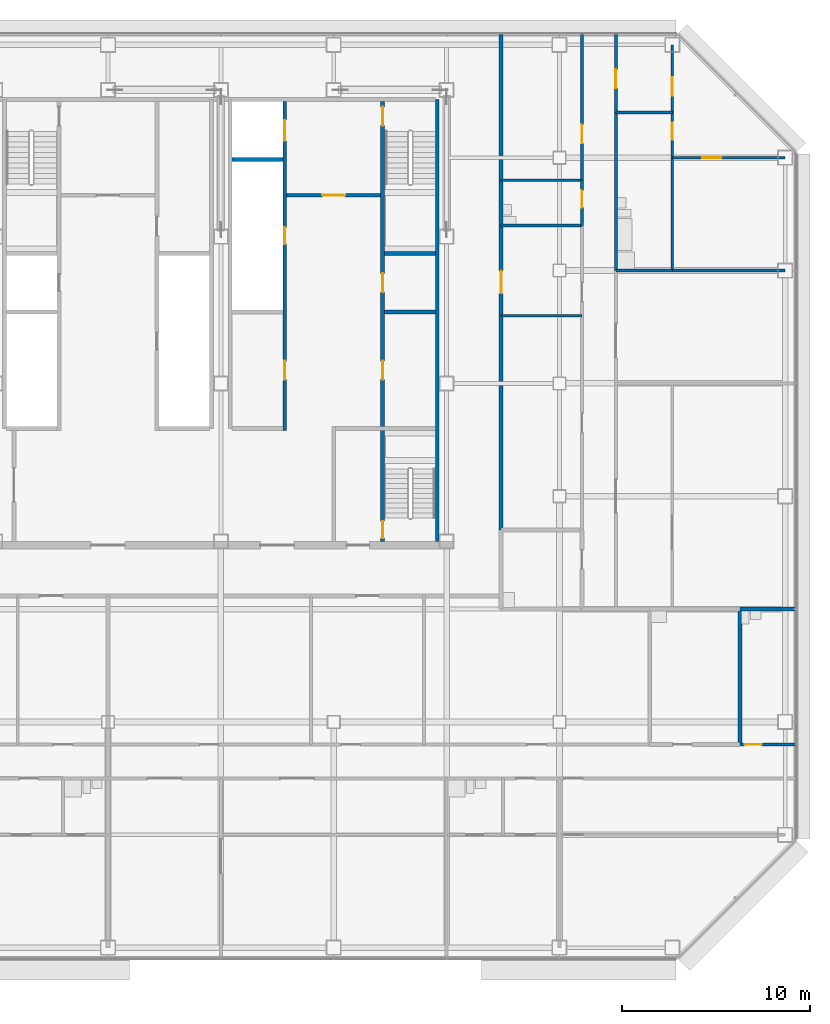
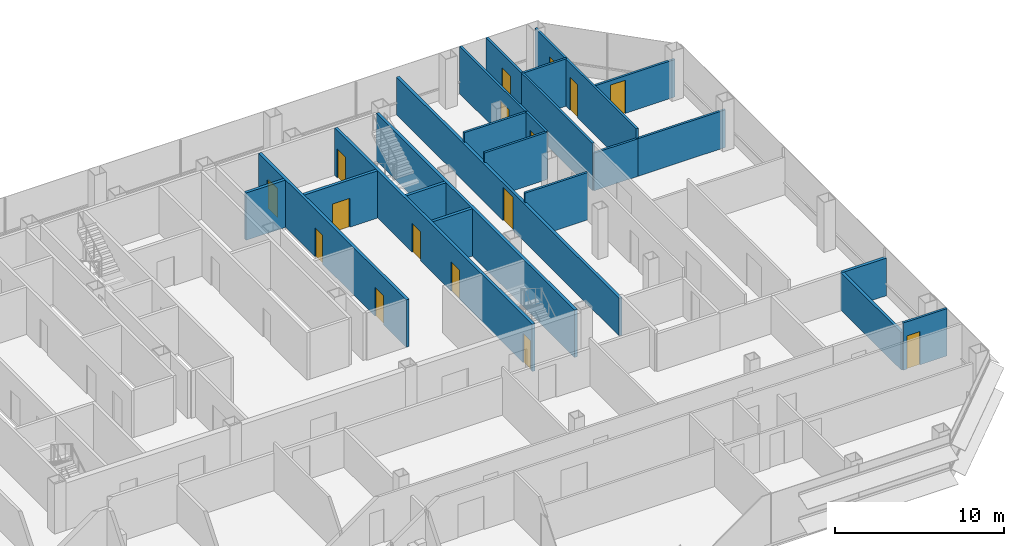
# One storey, part 22 of 25: 24 walls, 16 doors, 16 openings.
"""IFC4 building model written with IfcOpenShell, lengths in metres."""

from ifc_helpers import new_model, si_unit, direction, frame, frame_2d, origin, place, context, subcontext, project, spatial, rectangle, extrude, material, layer, layer_set, type_object, element, fill, save


model = new_model("IFC4")

# Units and contexts
model_context = context("Model", 3, precision=1e-05, world=origin(), true_north=direction((0.0, 1.0)))
body_context = subcontext(model_context, "Body", "Model", "MODEL_VIEW")
ifc_project = project(units=[si_unit("LENGTHUNIT", "METRE"), si_unit("AREAUNIT", "SQUARE_METRE"), si_unit("VOLUMEUNIT", "CUBIC_METRE"), si_unit("PLANEANGLEUNIT", "RADIAN"), si_unit("MASSUNIT", "GRAM", prefix="KILO")], contexts=[model_context])

# Site, building, storey
site_placement = place(None, origin())
site = spatial("IfcSite", under=ifc_project, at=site_placement, CompositionType="ELEMENT")
building_placement = place(site_placement, origin())
building = spatial("IfcBuilding", under=site, at=building_placement, Name="Sorahane Residences", CompositionType="ELEMENT")
storey_placement = place(building_placement, frame((0.0, 0.0, 99.800048828125)))
storey = spatial("IfcBuildingStorey", under=building, at=storey_placement, Name="L21", CompositionType="ELEMENT", Elevation=99.800048828125)

# Wall
ifc_material_1 = material(Name="Concrete C30", Category="concrete")
ifc_layer_1 = layer(ifc_material_1, 0.199951171875)
ifc_layer_set_1 = layer_set([ifc_layer_1], Name="Core face wall 200 EI 180")
wall_type_1 = type_object("IfcWallType", Name="Core face wall 200 EI 180", PredefinedType="SOLIDWALL", material=ifc_layer_set_1)
wall_1_placement = place(storey_placement, frame((41.5, 21.60009765625, 0.0), z_axis=(0.0, 0.0, 1.0), x_axis=(0.0, 1.0, 0.0)))
element("IfcWall", 1, at=wall_1_placement, inside=storey, type_object=wall_type_1, Name="L21 core face wall", PredefinedType="SOLIDWALL", context=body_context, shape_type="SweptSolid", body=[
    extrude(rectangle(XDim=23.5, YDim=0.199951171875, at=frame_2d((11.75, 0.0))), origin(), (0.0, 0.0, 1.0), 3.419921875),
])

# Wall, opening, door
ifc_material_2 = material(Name="Concrete blockwork C20 wall", Category="masonry")
ifc_layer_2 = layer(ifc_material_2, 0.199951171875)
ifc_layer_set_2 = layer_set([ifc_layer_2], Name="Corridor wall 200 EI 120")
wall_type_2 = type_object("IfcWallType", Name="Corridor wall 200 EI 120", PredefinedType="SOLIDWALL", material=ifc_layer_set_2)
wall_2_placement = place(storey_placement, frame((44.89990234375, 22.199951171875, 0.0), z_axis=(0.0, 0.0, 1.0), x_axis=(0.0, 1.0, 0.0)))
wall_2 = element("IfcWall", 2, at=wall_2_placement, inside=storey, type_object=wall_type_2, Name="L21 corridor wall", PredefinedType="SOLIDWALL", context=body_context, shape_type="SweptSolid", body=[
    extrude(rectangle(XDim=26.400146484375, YDim=0.199951171875, at=frame_2d((13.2001953125, 0.0))), origin(), (0.0, 0.0, 1.0), 2.719970703125),
])
opening_1_placement = place(wall_2_placement, frame((12.580078125, 0.0, 0.0)))
opening_1 = element("IfcOpeningElement", 3, at=opening_1_placement, cuts=wall_2, Name="Opening L21-40", PredefinedType="OPENING", context=body_context, shape_type="SweptSolid", body=[
    extrude(rectangle(XDim=1.199951171875, YDim=2.39990234375, at=frame_2d((0.60009765625, 1.199951171875))), frame((0.0, 0.10986328125, 0.0), z_axis=(0.0, -1.0, 0.0), x_axis=(1.0, 0.0, 0.0)), (0.0, 0.0, 1.0), 0.219970703125),
])
ifc_material_3 = material(Name="Timber veneered fire door", Category="wood")
door_type_1 = type_object("IfcDoorType", Name="Flat entrance door 1200x2400 FD60", OperationType="NOTDEFINED", PredefinedType="DOOR", material=ifc_material_3)
door_1_placement = place(opening_1_placement, frame((1.199951171875, 0.0, 0.0), z_axis=(0.0, 0.0, 1.0), x_axis=(-1.0, 0.0, 0.0)))
door_1 = element("IfcDoor", 4, at=door_1_placement, inside=storey, type_object=door_type_1, Name="Flat entrance door L21-40", OperationType="SINGLE_SWING_LEFT", OverallHeight=2.39990234375, OverallWidth=1.199951171875, PredefinedType="DOOR", context=body_context, shape_type="SweptSolid", body=[
    extrude(rectangle(XDim=1.199951171875, YDim=2.39990234375, at=frame_2d((0.60009765625, 1.199951171875))), frame((0.0, 0.02490234375, 0.0), z_axis=(0.0, -1.0, 0.0), x_axis=(1.0, 0.0, 0.0)), (0.0, 0.0, 1.0), 0.050048828125),
])
fill(opening_1, door_1)

ifc_material_4 = material(Name="Concrete C30", Category="concrete")
ifc_layer_3 = layer(ifc_material_4, 0.199951171875)
ifc_layer_set_3 = layer_set([ifc_layer_3], Name="Front room wall 200 EI 120")
wall_type_3 = type_object("IfcWallType", Name="Front room wall 200 EI 120", PredefinedType="PARTITIONING", material=ifc_layer_set_3)
wall_3_placement = place(storey_placement, frame((33.5, 40.0, 0.0), z_axis=(0.0, 0.0, 1.0), x_axis=(1.0, 0.0, 0.0)))
wall_3 = element("IfcWall", 5, at=wall_3_placement, inside=storey, type_object=wall_type_3, Name="L21 front room wall", PredefinedType="PARTITIONING", context=body_context, shape_type="SweptSolid", body=[
    extrude(rectangle(XDim=5.0, YDim=0.199951171875, at=frame_2d((2.5, 0.0))), origin(), (0.0, 0.0, 1.0), 3.419921875),
])
opening_2_placement = place(wall_3_placement, frame((1.89990234375, 0.0, 0.0)))
opening_2 = element("IfcOpeningElement", 6, at=opening_2_placement, cuts=wall_3, Name="Opening L21-C09", PredefinedType="OPENING", context=body_context, shape_type="SweptSolid", body=[
    extrude(rectangle(XDim=1.199951171875, YDim=2.10009765625, at=frame_2d((0.60009765625, 1.050048828125))), frame((0.0, 0.10986328125, 0.0), z_axis=(0.0, -1.0, 0.0), x_axis=(1.0, 0.0, 0.0)), (0.0, 0.0, 1.0), 0.219970703125),
])
ifc_material_5 = material(Name="Steel", Category="steel")
door_type_2 = type_object("IfcDoorType", Name="Front room door 1200x2100 FD120", OperationType="NOTDEFINED", PredefinedType="DOOR", material=ifc_material_5)
door_2_placement = place(opening_2_placement, frame((1.199951171875, 0.0, 0.0), z_axis=(0.0, 0.0, 1.0), x_axis=(-1.0, 0.0, 0.0)))
door_2 = element("IfcDoor", 7, at=door_2_placement, inside=storey, type_object=door_type_2, Name="Front room door Firefighting lobby FF2 front room L21", OperationType="DOUBLE_DOOR_SINGLE_SWING", OverallHeight=2.10009765625, OverallWidth=1.199951171875, PredefinedType="DOOR", context=body_context, shape_type="SweptSolid", body=[
    extrude(rectangle(XDim=1.199951171875, YDim=2.10009765625, at=frame_2d((0.60009765625, 1.050048828125))), frame((0.0, 0.02490234375, 0.0), z_axis=(0.0, -1.0, 0.0), x_axis=(1.0, 0.0, 0.0)), (0.0, 0.0, 1.0), 0.050048828125),
])
fill(opening_2, door_2)

# Wall
ifc_material_6 = material(Name="Concrete blockwork C20 wall", Category="masonry")
ifc_layer_4 = layer(ifc_material_6, 0.199951171875)
ifc_layer_set_4 = layer_set([ifc_layer_4], Name="Kitchen wall 200 EI 180")
wall_type_4 = type_object("IfcWallType", Name="Kitchen wall 200 EI 180", PredefinedType="SOLIDWALL", material=ifc_layer_set_4)
wall_4_placement = place(storey_placement, frame((57.60009765625, 10.800048828125, 0.0), z_axis=(0.0, 0.0, 1.0), x_axis=(0.0, 1.0, 0.0)))
element("IfcWall", 8, at=wall_4_placement, inside=storey, type_object=wall_type_4, Name="L21 kitchen wall", PredefinedType="SOLIDWALL", context=body_context, shape_type="SweptSolid", body=[
    extrude(rectangle(XDim=7.199951171875, YDim=0.199951171875, at=frame_2d((3.60009765625, 0.0))), origin(), (0.0, 0.0, 1.0), 2.719970703125),
])

# Wall, openings, doors
ifc_material_7 = material(Name="Concrete C30", Category="concrete")
ifc_layer_5 = layer(ifc_material_7, 0.199951171875)
ifc_layer_set_5 = layer_set([ifc_layer_5], Name="Lift shaft wall 200 EI 120")
wall_type_5 = type_object("IfcWallType", Name="Lift shaft wall 200 EI 120", PredefinedType="SOLIDWALL", material=ifc_layer_set_5)
wall_5_placement = place(storey_placement, frame((33.39990234375, 27.5, 0.0), z_axis=(0.0, 0.0, 1.0), x_axis=(0.0, 1.0, 0.0)))
wall_5 = element("IfcWall", 9, at=wall_5_placement, inside=storey, type_object=wall_type_5, Name="L21 lift shaft wall", PredefinedType="SOLIDWALL", context=body_context, shape_type="SweptSolid", body=[
    extrude(rectangle(XDim=17.5, YDim=0.199951171875, at=frame_2d((8.75, 0.0))), origin(), (0.0, 0.0, 1.0), 3.419921875),
])
opening_3_placement = place(wall_5_placement, frame((15.39990234375, 0.0, 0.0)))
opening_3 = element("IfcOpeningElement", 10, at=opening_3_placement, cuts=wall_5, Name="Opening L21-C10", PredefinedType="OPENING", context=body_context, shape_type="SweptSolid", body=[
    extrude(rectangle(XDim=1.10009765625, YDim=2.10009765625, at=frame_2d((0.550048828125, 1.050048828125))), frame((0.0, 0.10986328125, 0.0), z_axis=(0.0, -1.0, 0.0), x_axis=(1.0, 0.0, 0.0)), (0.0, 0.0, 1.0), 0.219970703125),
])
opening_4_placement = place(wall_5_placement, frame((2.699951171875, 0.0, 0.0)))
opening_4 = element("IfcOpeningElement", 11, at=opening_4_placement, cuts=wall_5, Name="Opening L21-C19", PredefinedType="OPENING", context=body_context, shape_type="SweptSolid", body=[
    extrude(rectangle(XDim=1.0, YDim=2.10009765625, at=frame_2d((0.5, 1.050048828125))), frame((0.0, 0.10986328125, 0.0), z_axis=(0.0, -1.0, 0.0), x_axis=(1.0, 0.0, 0.0)), (0.0, 0.0, 1.0), 0.219970703125),
])
opening_5_placement = place(wall_5_placement, frame((9.89990234375, 0.0, 0.0)))
opening_5 = element("IfcOpeningElement", 12, at=opening_5_placement, cuts=wall_5, Name="Opening L21-C26", PredefinedType="OPENING", context=body_context, shape_type="SweptSolid", body=[
    extrude(rectangle(XDim=0.89990234375, YDim=2.10009765625, at=frame_2d((0.449951171875, 1.050048828125))), frame((0.0, 0.10986328125, 0.0), z_axis=(0.0, -1.0, 0.0), x_axis=(1.0, 0.0, 0.0)), (0.0, 0.0, 1.0), 0.219970703125),
])
ifc_material_8 = material(Name="Aluminium and stainless steel", Category="steel")
door_type_3 = type_object("IfcDoorType", Name="Lift landing door 1100x2100 E 60", OperationType="NOTDEFINED", PredefinedType="DOOR", material=ifc_material_8)
door_3_placement = place(opening_3_placement, origin())
door_3 = element("IfcDoor", 13, at=door_3_placement, inside=storey, type_object=door_type_3, Name="Lift landing door FF2 L21", OperationType="DOUBLE_DOOR_SLIDING", OverallHeight=2.10009765625, OverallWidth=1.10009765625, PredefinedType="DOOR", context=body_context, shape_type="SweptSolid", body=[
    extrude(rectangle(XDim=1.10009765625, YDim=2.10009765625, at=frame_2d((0.550048828125, 1.050048828125))), frame((0.0, 0.02490234375, 0.0), z_axis=(0.0, -1.0, 0.0), x_axis=(1.0, 0.0, 0.0)), (0.0, 0.0, 1.0), 0.050048828125),
])
fill(opening_3, door_3)
ifc_material_9 = material(Name="Steel", Category="steel")
door_type_4 = type_object("IfcDoorType", Name="Riser door 900x2100 FD120", OperationType="NOTDEFINED", PredefinedType="DOOR", material=ifc_material_9)
door_4_placement = place(opening_5_placement, frame((0.89990234375, 0.0, 0.0), z_axis=(0.0, 0.0, 1.0), x_axis=(-1.0, 0.0, 0.0)))
door_4 = element("IfcDoor", 14, at=door_4_placement, inside=storey, type_object=door_type_4, Name="Riser door R2 L21", OperationType="SINGLE_SWING_LEFT", OverallHeight=2.10009765625, OverallWidth=0.89990234375, PredefinedType="DOOR", context=body_context, shape_type="SweptSolid", body=[
    extrude(rectangle(XDim=0.89990234375, YDim=2.10009765625, at=frame_2d((0.449951171875, 1.050048828125))), frame((0.0, 0.02490234375, 0.0), z_axis=(0.0, -1.0, 0.0), x_axis=(1.0, 0.0, 0.0)), (0.0, 0.0, 1.0), 0.050048828125),
])
fill(opening_5, door_4)
ifc_material_10 = material(Name="Steel", Category="steel")
door_type_5 = type_object("IfcDoorType", Name="Service room door 1000x2100 FD60", OperationType="NOTDEFINED", PredefinedType="DOOR", material=ifc_material_10)
door_5_placement = place(opening_4_placement, origin())
door_5 = element("IfcDoor", 15, at=door_5_placement, inside=storey, type_object=door_type_5, Name="Service room door Lounge L21", OperationType="SINGLE_SWING_RIGHT", OverallHeight=2.10009765625, OverallWidth=1.0, PredefinedType="DOOR", context=body_context, shape_type="SweptSolid", body=[
    extrude(rectangle(XDim=1.0, YDim=2.10009765625, at=frame_2d((0.5, 1.050048828125))), frame((0.0, 0.02490234375, 0.0), z_axis=(0.0, -1.0, 0.0), x_axis=(1.0, 0.0, 0.0)), (0.0, 0.0, 1.0), 0.050048828125),
])
fill(opening_4, door_5)

# Wall
wall_6_placement = place(storey_placement, frame((30.60009765625, 41.89990234375, 0.0), z_axis=(0.0, 0.0, 1.0), x_axis=(1.0, 0.0, 0.0)))
element("IfcWall", 16, at=wall_6_placement, inside=storey, type_object=wall_type_5, Name="L21 lift shaft wall", PredefinedType="SOLIDWALL", context=body_context, shape_type="SweptSolid", body=[
    extrude(rectangle(XDim=2.699951171875, YDim=0.199951171875, at=frame_2d((1.35009765625, 0.0))), origin(), (0.0, 0.0, 1.0), 3.419921875),
])

# Wall, opening, door
ifc_material_11 = material(Name="Gypsum board partition on steel studs", Category="steel")
ifc_layer_6 = layer(ifc_material_11, 0.14990234375)
ifc_layer_set_6 = layer_set([ifc_layer_6], Name="Partition 150 EI 90")
wall_type_6 = type_object("IfcWallType", Name="Partition 150 EI 90", PredefinedType="PARTITIONING", material=ifc_layer_set_6)
wall_7_placement = place(storey_placement, frame((49.199951171875, 40.800048828125, 0.0), z_axis=(0.0, 0.0, 1.0), x_axis=(0.0, 1.0, 0.0)))
wall_7 = element("IfcWall", 17, at=wall_7_placement, inside=storey, type_object=wall_type_6, Name="L21 partition", PredefinedType="PARTITIONING", context=body_context, shape_type="SweptSolid", body=[
    extrude(rectangle(XDim=7.800048828125, YDim=0.14990234375, at=frame_2d((3.89990234375, 0.0))), origin(), (0.0, 0.0, 1.0), 3.419921875),
])
opening_6_placement = place(wall_7_placement, frame((1.9599609375, 0.0, 0.0)))
opening_6 = element("IfcOpeningElement", 18, at=opening_6_placement, cuts=wall_7, Name="Opening L21-30", PredefinedType="OPENING", context=body_context, shape_type="SweptSolid", body=[
    extrude(rectangle(XDim=1.0, YDim=2.39990234375, at=frame_2d((0.5, 1.199951171875))), frame((0.0, 0.0849609375, 0.0), z_axis=(0.0, -1.0, 0.0), x_axis=(1.0, 0.0, 0.0)), (0.0, 0.0, 1.0), 0.169921875),
])
ifc_material_12 = material(Name="Timber veneered fire door", Category="wood")
door_type_6 = type_object("IfcDoorType", Name="Room door 1000x2400 FD30", OperationType="NOTDEFINED", PredefinedType="DOOR", material=ifc_material_12)
door_6_placement = place(opening_6_placement, origin())
door_6 = element("IfcDoor", 19, at=door_6_placement, inside=storey, type_object=door_type_6, Name="Room door L21-30", OperationType="SINGLE_SWING_RIGHT", OverallHeight=2.39990234375, OverallWidth=1.0, PredefinedType="DOOR", context=body_context, shape_type="SweptSolid", body=[
    extrude(rectangle(XDim=1.0, YDim=2.39990234375, at=frame_2d((0.5, 1.199951171875))), frame((0.0, 0.02490234375, 0.0), z_axis=(0.0, -1.0, 0.0), x_axis=(1.0, 0.0, 0.0)), (0.0, 0.0, 1.0), 0.050048828125),
])
fill(opening_6, door_6)

wall_8_placement = place(storey_placement, frame((51.0, 44.39990234375, 0.0), z_axis=(0.0, 0.0, 1.0), x_axis=(0.0, 1.0, 0.0)))
wall_8 = element("IfcWall", 20, at=wall_8_placement, inside=storey, type_object=wall_type_6, Name="L21 partition", PredefinedType="PARTITIONING", context=body_context, shape_type="SweptSolid", body=[
    extrude(rectangle(XDim=4.2001953125, YDim=0.14990234375, at=frame_2d((2.10009765625, 0.0))), origin(), (0.0, 0.0, 1.0), 3.419921875),
])
opening_7_placement = place(wall_8_placement, frame((1.300048828125, 0.0, 0.0)))
opening_7 = element("IfcOpeningElement", 21, at=opening_7_placement, cuts=wall_8, Name="Opening L21-33", PredefinedType="OPENING", context=body_context, shape_type="SweptSolid", body=[
    extrude(rectangle(XDim=1.0, YDim=2.39990234375, at=frame_2d((0.5, 1.199951171875))), frame((0.0, 0.0849609375, 0.0), z_axis=(0.0, -1.0, 0.0), x_axis=(1.0, 0.0, 0.0)), (0.0, 0.0, 1.0), 0.169921875),
])
door_7_placement = place(opening_7_placement, frame((1.0, 0.0, 0.0), z_axis=(0.0, 0.0, 1.0), x_axis=(-1.0, 0.0, 0.0)))
door_7 = element("IfcDoor", 22, at=door_7_placement, inside=storey, type_object=door_type_6, Name="Room door L21-33", OperationType="SINGLE_SWING_LEFT", OverallHeight=2.39990234375, OverallWidth=1.0, PredefinedType="DOOR", context=body_context, shape_type="SweptSolid", body=[
    extrude(rectangle(XDim=1.0, YDim=2.39990234375, at=frame_2d((0.5, 1.199951171875))), frame((0.0, 0.02490234375, 0.0), z_axis=(0.0, -1.0, 0.0), x_axis=(1.0, 0.0, 0.0)), (0.0, 0.0, 1.0), 0.050048828125),
])
fill(opening_7, door_7)

wall_9_placement = place(storey_placement, frame((54.0, 44.39990234375, 0.0), z_axis=(0.0, 0.0, 1.0), x_axis=(0.0, 1.0, 0.0)))
wall_9 = element("IfcWall", 23, at=wall_9_placement, inside=storey, type_object=wall_type_6, Name="L21 partition", PredefinedType="PARTITIONING", context=body_context, shape_type="SweptSolid", body=[
    extrude(rectangle(XDim=3.60009765625, YDim=0.14990234375, at=frame_2d((1.800048828125, 0.0))), origin(), (0.0, 0.0, 1.0), 3.419921875),
])
opening_8_placement = place(wall_9_placement, frame((0.8798828125, 0.0, 0.0)))
opening_8 = element("IfcOpeningElement", 24, at=opening_8_placement, cuts=wall_9, Name="Opening L21-35", PredefinedType="OPENING", context=body_context, shape_type="SweptSolid", body=[
    extrude(rectangle(XDim=1.0, YDim=2.39990234375, at=frame_2d((0.5, 1.199951171875))), frame((0.0, 0.0849609375, 0.0), z_axis=(0.0, -1.0, 0.0), x_axis=(1.0, 0.0, 0.0)), (0.0, 0.0, 1.0), 0.169921875),
])
door_8_placement = place(opening_8_placement, frame((1.0, 0.0, 0.0), z_axis=(0.0, 0.0, 1.0), x_axis=(-1.0, 0.0, 0.0)))
door_8 = element("IfcDoor", 25, at=door_8_placement, inside=storey, type_object=door_type_6, Name="Room door L21-35", OperationType="SINGLE_SWING_LEFT", OverallHeight=2.39990234375, OverallWidth=1.0, PredefinedType="DOOR", context=body_context, shape_type="SweptSolid", body=[
    extrude(rectangle(XDim=1.0, YDim=2.39990234375, at=frame_2d((0.5, 1.199951171875))), frame((0.0, 0.02490234375, 0.0), z_axis=(0.0, -1.0, 0.0), x_axis=(1.0, 0.0, 0.0)), (0.0, 0.0, 1.0), 0.050048828125),
])
fill(opening_8, door_8)

# Walls
wall_10_placement = place(storey_placement, frame((44.89990234375, 33.60009765625, 0.0), z_axis=(0.0, 0.0, 1.0), x_axis=(1.0, 0.0, 0.0)))
element("IfcWall", 26, at=wall_10_placement, inside=storey, type_object=wall_type_6, Name="L21 partition", PredefinedType="PARTITIONING", context=body_context, shape_type="SweptSolid", body=[
    extrude(rectangle(XDim=4.300048828125, YDim=0.14990234375, at=frame_2d((2.14990234375, 0.0))), origin(), (0.0, 0.0, 1.0), 3.419921875),
])
wall_11_placement = place(storey_placement, frame((54.0, 36.0, 0.0), z_axis=(0.0, 0.0, 1.0), x_axis=(1.0, 0.0, 0.0)))
element("IfcWall", 27, at=wall_11_placement, inside=storey, type_object=wall_type_6, Name="L21 partition", PredefinedType="PARTITIONING", context=body_context, shape_type="SweptSolid", body=[
    extrude(rectangle(XDim=6.0, YDim=0.14990234375, at=frame_2d((3.0, 0.0))), origin(), (0.0, 0.0, 1.0), 2.719970703125),
])

# Wall, opening, door
wall_12_placement = place(storey_placement, frame((54.0, 42.0, 0.0), z_axis=(0.0, 0.0, 1.0), x_axis=(1.0, 0.0, 0.0)))
wall_12 = element("IfcWall", 28, at=wall_12_placement, inside=storey, type_object=wall_type_6, Name="L21 partition", PredefinedType="PARTITIONING", context=body_context, shape_type="SweptSolid", body=[
    extrude(rectangle(XDim=6.0, YDim=0.14990234375, at=frame_2d((3.0, 0.0))), origin(), (0.0, 0.0, 1.0), 2.719970703125),
])
opening_9_placement = place(wall_12_placement, frame((1.60009765625, 0.0, 0.0)))
opening_9 = element("IfcOpeningElement", 29, at=opening_9_placement, cuts=wall_12, Name="Opening L21-36", PredefinedType="OPENING", context=body_context, shape_type="SweptSolid", body=[
    extrude(rectangle(XDim=1.0, YDim=2.39990234375, at=frame_2d((0.5, 1.199951171875))), frame((0.0, 0.0849609375, 0.0), z_axis=(0.0, -1.0, 0.0), x_axis=(1.0, 0.0, 0.0)), (0.0, 0.0, 1.0), 0.169921875),
])
door_9_placement = place(opening_9_placement, frame((1.0, 0.0, 0.0), z_axis=(0.0, 0.0, 1.0), x_axis=(-1.0, 0.0, 0.0)))
door_9 = element("IfcDoor", 30, at=door_9_placement, inside=storey, type_object=door_type_6, Name="Room door L21-36", OperationType="SINGLE_SWING_LEFT", OverallHeight=2.39990234375, OverallWidth=1.0, PredefinedType="DOOR", context=body_context, shape_type="SweptSolid", body=[
    extrude(rectangle(XDim=1.0, YDim=2.39990234375, at=frame_2d((0.5, 1.199951171875))), frame((0.0, 0.02490234375, 0.0), z_axis=(0.0, -1.0, 0.0), x_axis=(1.0, 0.0, 0.0)), (0.0, 0.0, 1.0), 0.050048828125),
])
fill(opening_9, door_9)

# Walls
ifc_material_13 = material(Name="Concrete blockwork C20 wall", Category="masonry")
ifc_layer_7 = layer(ifc_material_13, 0.199951171875)
ifc_layer_set_7 = layer_set([ifc_layer_7], Name="Party wall 200 EI 120")
wall_type_7 = type_object("IfcWallType", Name="Party wall 200 EI 120", PredefinedType="SOLIDWALL", material=ifc_layer_set_7)
wall_13_placement = place(storey_placement, frame((57.60009765625, 18.0, 0.0), z_axis=(0.0, 0.0, 1.0), x_axis=(1.0, 0.0, 0.0)))
element("IfcWall", 31, at=wall_13_placement, inside=storey, type_object=wall_type_7, Name="L21 party wall", PredefinedType="SOLIDWALL", context=body_context, shape_type="SweptSolid", body=[
    extrude(rectangle(XDim=3.0, YDim=0.199951171875, at=frame_2d((1.5, 0.0))), origin(), (0.0, 0.0, 1.0), 2.719970703125),
])
ifc_material_14 = material(Name="Concrete C30", Category="concrete")
ifc_layer_8 = layer(ifc_material_14, 0.199951171875)
ifc_layer_set_8 = layer_set([ifc_layer_8], Name="Service room partition 200 EI 60")
wall_type_8 = type_object("IfcWallType", Name="Service room partition 200 EI 60", PredefinedType="PARTITIONING", material=ifc_layer_set_8)
wall_14_placement = place(storey_placement, frame((38.699951171875, 33.800048828125, 0.0), z_axis=(0.0, 0.0, 1.0), x_axis=(1.0, 0.0, 0.0)))
element("IfcWall", 32, at=wall_14_placement, inside=storey, type_object=wall_type_8, Name="L21 service room wall", PredefinedType="PARTITIONING", context=body_context, shape_type="SweptSolid", body=[
    extrude(rectangle(XDim=2.699951171875, YDim=0.199951171875, at=frame_2d((1.35009765625, 0.0))), origin(), (0.0, 0.0, 1.0), 3.419921875),
])

# Wall, openings, doors
ifc_material_15 = material(Name="Concrete C30", Category="concrete")
ifc_layer_9 = layer(ifc_material_15, 0.199951171875)
ifc_layer_set_9 = layer_set([ifc_layer_9], Name="Stair enclosure wall 200 EI 120")
wall_type_9 = type_object("IfcWallType", Name="Stair enclosure wall 200 EI 120", PredefinedType="SOLIDWALL", material=ifc_layer_set_9)
wall_15_placement = place(storey_placement, frame((38.60009765625, 21.60009765625, 0.0), z_axis=(0.0, 0.0, 1.0), x_axis=(0.0, 1.0, 0.0)))
wall_15 = element("IfcWall", 33, at=wall_15_placement, inside=storey, type_object=wall_type_9, Name="L21 stair enclosure wall", PredefinedType="SOLIDWALL", context=body_context, shape_type="SweptSolid", body=[
    extrude(rectangle(XDim=23.39990234375, YDim=0.199951171875, at=frame_2d((11.699951171875, 0.0))), origin(), (0.0, 0.0, 1.0), 3.419921875),
])
opening_10_placement = place(wall_15_placement, frame((8.60009765625, 0.0, 0.0)))
opening_10 = element("IfcOpeningElement", 34, at=opening_10_placement, cuts=wall_15, Name="Opening L21-C17", PredefinedType="OPENING", context=body_context, shape_type="SweptSolid", body=[
    extrude(rectangle(XDim=1.0, YDim=2.10009765625, at=frame_2d((0.5, 1.050048828125))), frame((0.0, 0.10986328125, 0.0), z_axis=(0.0, -1.0, 0.0), x_axis=(1.0, 0.0, 0.0)), (0.0, 0.0, 1.0), 0.219970703125),
])
opening_11_placement = place(wall_15_placement, frame((13.25, 0.0, 0.0)))
opening_11 = element("IfcOpeningElement", 35, at=opening_11_placement, cuts=wall_15, Name="Opening L21-C18", PredefinedType="OPENING", context=body_context, shape_type="SweptSolid", body=[
    extrude(rectangle(XDim=1.0, YDim=2.10009765625, at=frame_2d((0.5, 1.050048828125))), frame((0.0, 0.10986328125, 0.0), z_axis=(0.0, -1.0, 0.0), x_axis=(1.0, 0.0, 0.0)), (0.0, 0.0, 1.0), 0.219970703125),
])
opening_12_placement = place(wall_15_placement, frame((22.10009765625, 0.0, 0.0)))
opening_12 = element("IfcOpeningElement", 36, at=opening_12_placement, cuts=wall_15, Name="Opening L21-C21", PredefinedType="OPENING", context=body_context, shape_type="SweptSolid", body=[
    extrude(rectangle(XDim=1.0, YDim=2.10009765625, at=frame_2d((0.5, 1.050048828125))), frame((0.0, 0.10986328125, 0.0), z_axis=(0.0, -1.0, 0.0), x_axis=(1.0, 0.0, 0.0)), (0.0, 0.0, 1.0), 0.219970703125),
])
opening_13_placement = place(wall_15_placement, frame((0.175048828125, 0.0, 0.0)))
opening_13 = element("IfcOpeningElement", 37, at=opening_13_placement, cuts=wall_15, Name="Opening L21-C24", PredefinedType="OPENING", context=body_context, shape_type="SweptSolid", body=[
    extrude(rectangle(XDim=0.89990234375, YDim=2.10009765625, at=frame_2d((0.449951171875, 1.050048828125))), frame((0.0, 0.10986328125, 0.0), z_axis=(0.0, -1.0, 0.0), x_axis=(1.0, 0.0, 0.0)), (0.0, 0.0, 1.0), 0.219970703125),
])
door_10_placement = place(opening_10_placement, frame((1.0, 0.0, 0.0), z_axis=(0.0, 0.0, 1.0), x_axis=(-1.0, 0.0, 0.0)))
door_10 = element("IfcDoor", 38, at=door_10_placement, inside=storey, type_object=door_type_5, Name="Service room door Lounge L21", OperationType="SINGLE_SWING_RIGHT", OverallHeight=2.10009765625, OverallWidth=1.0, PredefinedType="DOOR", context=body_context, shape_type="SweptSolid", body=[
    extrude(rectangle(XDim=1.0, YDim=2.10009765625, at=frame_2d((0.5, 1.050048828125))), frame((0.0, 0.02490234375, 0.0), z_axis=(0.0, -1.0, 0.0), x_axis=(1.0, 0.0, 0.0)), (0.0, 0.0, 1.0), 0.050048828125),
])
fill(opening_10, door_10)
door_11_placement = place(opening_11_placement, frame((1.0, 0.0, 0.0), z_axis=(0.0, 0.0, 1.0), x_axis=(-1.0, 0.0, 0.0)))
door_11 = element("IfcDoor", 39, at=door_11_placement, inside=storey, type_object=door_type_5, Name="Service room door Lounge L21", OperationType="SINGLE_SWING_LEFT", OverallHeight=2.10009765625, OverallWidth=1.0, PredefinedType="DOOR", context=body_context, shape_type="SweptSolid", body=[
    extrude(rectangle(XDim=1.0, YDim=2.10009765625, at=frame_2d((0.5, 1.050048828125))), frame((0.0, 0.02490234375, 0.0), z_axis=(0.0, -1.0, 0.0), x_axis=(1.0, 0.0, 0.0)), (0.0, 0.0, 1.0), 0.050048828125),
])
fill(opening_11, door_11)
ifc_material_16 = material(Name="Steel", Category="steel")
door_type_7 = type_object("IfcDoorType", Name="Stair door 1000x2100 FD120", OperationType="NOTDEFINED", PredefinedType="DOOR", material=ifc_material_16)
door_12_placement = place(opening_12_placement, frame((1.0, 0.0, 0.0), z_axis=(0.0, 0.0, 1.0), x_axis=(-1.0, 0.0, 0.0)))
door_12 = element("IfcDoor", 40, at=door_12_placement, inside=storey, type_object=door_type_7, Name="Stair door S2 L21", OperationType="SINGLE_SWING_LEFT", OverallHeight=2.10009765625, OverallWidth=1.0, PredefinedType="DOOR", context=body_context, shape_type="SweptSolid", body=[
    extrude(rectangle(XDim=1.0, YDim=2.10009765625, at=frame_2d((0.5, 1.050048828125))), frame((0.0, 0.02490234375, 0.0), z_axis=(0.0, -1.0, 0.0), x_axis=(1.0, 0.0, 0.0)), (0.0, 0.0, 1.0), 0.050048828125),
])
fill(opening_12, door_12)
ifc_material_17 = material(Name="Steel", Category="steel")
door_type_8 = type_object("IfcDoorType", Name="Stair door 900x2100 FD120", OperationType="NOTDEFINED", PredefinedType="DOOR", material=ifc_material_17)
door_13_placement = place(opening_13_placement, frame((0.89990234375, 0.0, 0.0), z_axis=(0.0, 0.0, 1.0), x_axis=(-1.0, 0.0, 0.0)))
door_13 = element("IfcDoor", 41, at=door_13_placement, inside=storey, type_object=door_type_8, Name="Stair door S5 L21", OperationType="SINGLE_SWING_LEFT", OverallHeight=2.10009765625, OverallWidth=0.89990234375, PredefinedType="DOOR", context=body_context, shape_type="SweptSolid", body=[
    extrude(rectangle(XDim=0.89990234375, YDim=2.10009765625, at=frame_2d((0.449951171875, 1.050048828125))), frame((0.0, 0.02490234375, 0.0), z_axis=(0.0, -1.0, 0.0), x_axis=(1.0, 0.0, 0.0)), (0.0, 0.0, 1.0), 0.050048828125),
])
fill(opening_13, door_13)

# Wall
wall_16_placement = place(storey_placement, frame((38.699951171875, 36.89990234375, 0.0), z_axis=(0.0, 0.0, 1.0), x_axis=(1.0, 0.0, 0.0)))
element("IfcWall", 42, at=wall_16_placement, inside=storey, type_object=wall_type_9, Name="L21 stair enclosure wall", PredefinedType="SOLIDWALL", context=body_context, shape_type="SweptSolid", body=[
    extrude(rectangle(XDim=2.699951171875, YDim=0.199951171875, at=frame_2d((1.35009765625, 0.0))), origin(), (0.0, 0.0, 1.0), 3.419921875),
])

# Wall, opening, door
ifc_material_18 = material(Name="Gypsum board partition on steel studs", Category="steel")
ifc_layer_10 = layer(ifc_material_18, 0.14990234375)
ifc_layer_set_10 = layer_set([ifc_layer_10], Name="Wet wall 150 EI 90")
wall_type_10 = type_object("IfcWallType", Name="Wet wall 150 EI 90", PredefinedType="PARTITIONING", material=ifc_layer_set_10)
wall_17_placement = place(storey_placement, frame((49.199951171875, 38.39990234375, 0.0), z_axis=(0.0, 0.0, 1.0), x_axis=(0.0, 1.0, 0.0)))
wall_17 = element("IfcWall", 43, at=wall_17_placement, inside=storey, type_object=wall_type_10, Name="L21 wet wall", PredefinedType="PARTITIONING", context=body_context, shape_type="SweptSolid", body=[
    extrude(rectangle(XDim=2.400146484375, YDim=0.14990234375, at=frame_2d((1.2001953125, 0.0))), origin(), (0.0, 0.0, 1.0), 3.419921875),
])
opening_14_placement = place(wall_17_placement, frame((0.949951171875, 0.0, 0.0)))
opening_14 = element("IfcOpeningElement", 44, at=opening_14_placement, cuts=wall_17, Name="Opening L21-29", PredefinedType="OPENING", context=body_context, shape_type="SweptSolid", body=[
    extrude(rectangle(XDim=0.89990234375, YDim=2.39990234375, at=frame_2d((0.449951171875, 1.199951171875))), frame((0.0, 0.0849609375, 0.0), z_axis=(0.0, -1.0, 0.0), x_axis=(1.0, 0.0, 0.0)), (0.0, 0.0, 1.0), 0.169921875),
])
ifc_material_19 = material(Name="Timber veneered fire door", Category="wood")
door_type_9 = type_object("IfcDoorType", Name="Bathroom door 900x2400 FD30", OperationType="NOTDEFINED", PredefinedType="DOOR", material=ifc_material_19)
door_14_placement = place(opening_14_placement, frame((0.89990234375, 0.0, 0.0), z_axis=(0.0, 0.0, 1.0), x_axis=(-1.0, 0.0, 0.0)))
door_14 = element("IfcDoor", 45, at=door_14_placement, inside=storey, type_object=door_type_9, Name="Bathroom door L21-29", OperationType="SINGLE_SWING_RIGHT", OverallHeight=2.39990234375, OverallWidth=0.89990234375, PredefinedType="DOOR", context=body_context, shape_type="SweptSolid", body=[
    extrude(rectangle(XDim=0.89990234375, YDim=2.39990234375, at=frame_2d((0.449951171875, 1.199951171875))), frame((0.0, 0.02490234375, 0.0), z_axis=(0.0, -1.0, 0.0), x_axis=(1.0, 0.0, 0.0)), (0.0, 0.0, 1.0), 0.050048828125),
])
fill(opening_14, door_14)

# Wall
wall_18_placement = place(storey_placement, frame((51.0, 36.0, 0.0), z_axis=(0.0, 0.0, 1.0), x_axis=(0.0, 1.0, 0.0)))
element("IfcWall", 46, at=wall_18_placement, inside=storey, type_object=wall_type_10, Name="L21 wet wall", PredefinedType="PARTITIONING", context=body_context, shape_type="SweptSolid", body=[
    extrude(rectangle(XDim=8.39990234375, YDim=0.14990234375, at=frame_2d((4.199951171875, 0.0))), origin(), (0.0, 0.0, 1.0), 3.419921875),
])

# Wall, opening, door
wall_19_placement = place(storey_placement, frame((54.0, 36.0, 0.0), z_axis=(0.0, 0.0, 1.0), x_axis=(0.0, 1.0, 0.0)))
wall_19 = element("IfcWall", 47, at=wall_19_placement, inside=storey, type_object=wall_type_10, Name="L21 wet wall", PredefinedType="PARTITIONING", context=body_context, shape_type="SweptSolid", body=[
    extrude(rectangle(XDim=8.39990234375, YDim=0.14990234375, at=frame_2d((4.199951171875, 0.0))), origin(), (0.0, 0.0, 1.0), 3.419921875),
])
opening_15_placement = place(wall_19_placement, frame((6.949951171875, 0.0, 0.0)))
opening_15 = element("IfcOpeningElement", 48, at=opening_15_placement, cuts=wall_19, Name="Opening L21-37", PredefinedType="OPENING", context=body_context, shape_type="SweptSolid", body=[
    extrude(rectangle(XDim=0.89990234375, YDim=2.39990234375, at=frame_2d((0.449951171875, 1.199951171875))), frame((0.0, 0.0849609375, 0.0), z_axis=(0.0, -1.0, 0.0), x_axis=(1.0, 0.0, 0.0)), (0.0, 0.0, 1.0), 0.169921875),
])
door_15_placement = place(opening_15_placement, frame((0.89990234375, 0.0, 0.0), z_axis=(0.0, 0.0, 1.0), x_axis=(-1.0, 0.0, 0.0)))
door_15 = element("IfcDoor", 49, at=door_15_placement, inside=storey, type_object=door_type_9, Name="Bathroom door L21-37", OperationType="SINGLE_SWING_LEFT", OverallHeight=2.39990234375, OverallWidth=0.89990234375, PredefinedType="DOOR", context=body_context, shape_type="SweptSolid", body=[
    extrude(rectangle(XDim=0.89990234375, YDim=2.39990234375, at=frame_2d((0.449951171875, 1.199951171875))), frame((0.0, 0.02490234375, 0.0), z_axis=(0.0, -1.0, 0.0), x_axis=(1.0, 0.0, 0.0)), (0.0, 0.0, 1.0), 0.050048828125),
])
fill(opening_15, door_15)

wall_20_placement = place(storey_placement, frame((57.60009765625, 10.800048828125, 0.0), z_axis=(0.0, 0.0, 1.0), x_axis=(1.0, 0.0, 0.0)))
wall_20 = element("IfcWall", 50, at=wall_20_placement, inside=storey, type_object=wall_type_10, Name="L21 wet wall", PredefinedType="PARTITIONING", context=body_context, shape_type="SweptSolid", body=[
    extrude(rectangle(XDim=3.0, YDim=0.14990234375, at=frame_2d((1.5, 0.0))), origin(), (0.0, 0.0, 1.0), 3.419921875),
])
opening_16_placement = place(wall_20_placement, frame((0.25, 0.0, 0.0)))
opening_16 = element("IfcOpeningElement", 51, at=opening_16_placement, cuts=wall_20, Name="Opening L21-17", PredefinedType="OPENING", context=body_context, shape_type="SweptSolid", body=[
    extrude(rectangle(XDim=0.89990234375, YDim=2.39990234375, at=frame_2d((0.449951171875, 1.199951171875))), frame((0.0, 0.0849609375, 0.0), z_axis=(0.0, -1.0, 0.0), x_axis=(1.0, 0.0, 0.0)), (0.0, 0.0, 1.0), 0.169921875),
])
door_16_placement = place(opening_16_placement, frame((0.89990234375, 0.0, 0.0), z_axis=(0.0, 0.0, 1.0), x_axis=(-1.0, 0.0, 0.0)))
door_16 = element("IfcDoor", 52, at=door_16_placement, inside=storey, type_object=door_type_9, Name="Bathroom door L21-17", OperationType="SINGLE_SWING_RIGHT", OverallHeight=2.39990234375, OverallWidth=0.89990234375, PredefinedType="DOOR", context=body_context, shape_type="SweptSolid", body=[
    extrude(rectangle(XDim=0.89990234375, YDim=2.39990234375, at=frame_2d((0.449951171875, 1.199951171875))), frame((0.0, 0.02490234375, 0.0), z_axis=(0.0, -1.0, 0.0), x_axis=(1.0, 0.0, 0.0)), (0.0, 0.0, 1.0), 0.050048828125),
])
fill(opening_16, door_16)

# Walls
wall_21_placement = place(storey_placement, frame((51.0, 36.0, 0.0), z_axis=(0.0, 0.0, 1.0), x_axis=(1.0, 0.0, 0.0)))
element("IfcWall", 53, at=wall_21_placement, inside=storey, type_object=wall_type_10, Name="L21 wet wall", PredefinedType="PARTITIONING", context=body_context, shape_type="SweptSolid", body=[
    extrude(rectangle(XDim=3.0, YDim=0.14990234375, at=frame_2d((1.5, 0.0))), origin(), (0.0, 0.0, 1.0), 2.719970703125),
])
for number, where, z_axis, x_axis, name in (
    (54, (44.89990234375, 38.39990234375, 0.0), (0.0, 0.0, 1.0), (1.0, 0.0, 0.0), "L21 wet wall"),
    (55, (44.89990234375, 40.800048828125, 0.0), (0.0, 0.0, 1.0), (1.0, 0.0, 0.0), "L21 wet wall"),
):
    element("IfcWall", number, at=place(storey_placement, frame(where, z_axis=z_axis, x_axis=x_axis)), inside=storey, type_object=wall_type_10, Name=name, PredefinedType="PARTITIONING", context=body_context, shape_type="SweptSolid", body=[
        extrude(rectangle(XDim=4.300048828125, YDim=0.14990234375, at=frame_2d((2.14990234375, 0.0))), origin(), (0.0, 0.0, 1.0), 3.419921875),
    ])
wall_22_placement = place(storey_placement, frame((51.0, 44.39990234375, 0.0), z_axis=(0.0, 0.0, 1.0), x_axis=(1.0, 0.0, 0.0)))
element("IfcWall", 56, at=wall_22_placement, inside=storey, type_object=wall_type_10, Name="L21 wet wall", PredefinedType="PARTITIONING", context=body_context, shape_type="SweptSolid", body=[
    extrude(rectangle(XDim=3.0, YDim=0.14990234375, at=frame_2d((1.5, 0.0))), origin(), (0.0, 0.0, 1.0), 3.419921875),
])

save(model, "model.ifc")
